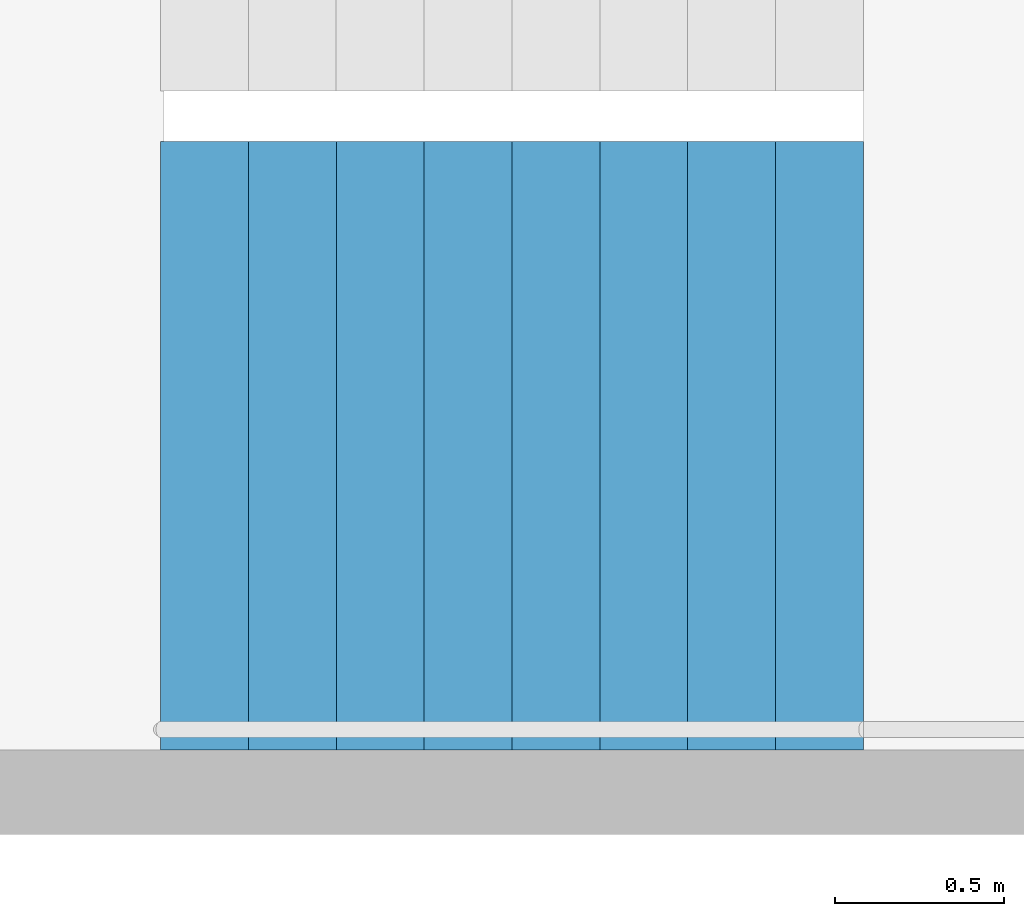
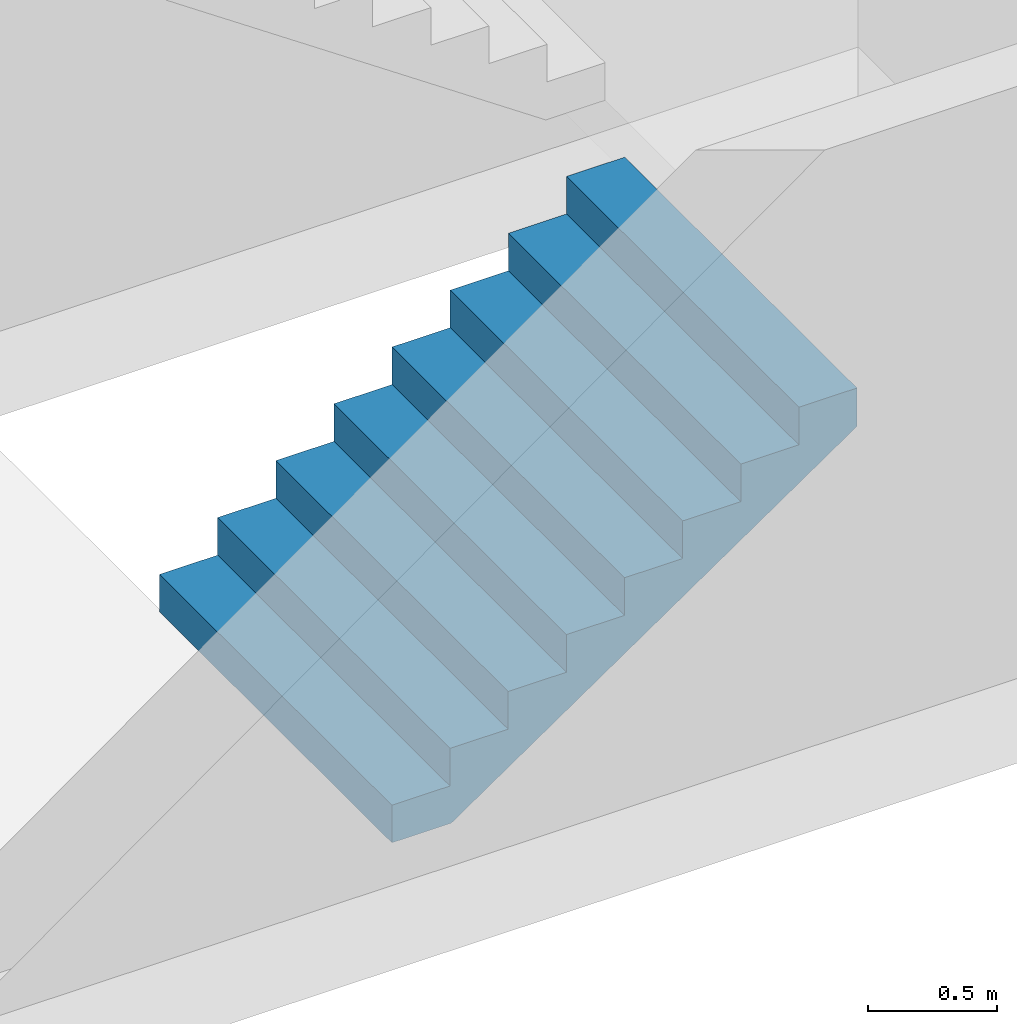
# One storey, part 22 of 28: 1 stair flight, 1 element without a shape of its own.
"""IFC4 building model written with IfcOpenShell, lengths in metres."""

from ifc_helpers import new_model, si_unit, direction, frame, origin, place, context, subcontext, project, spatial, triangles, material, type_object, element, aggregate, save


model = new_model("IFC4")

# Units and contexts
model_context = context("Model", 3, precision=1e-05, world=origin(), true_north=direction((0.0, 1.0)))
body_context = subcontext(model_context, "Body", "Model", "MODEL_VIEW")
ifc_project = project(units=[si_unit("LENGTHUNIT", "METRE"), si_unit("AREAUNIT", "SQUARE_METRE"), si_unit("VOLUMEUNIT", "CUBIC_METRE"), si_unit("PLANEANGLEUNIT", "RADIAN"), si_unit("MASSUNIT", "GRAM", prefix="KILO")], contexts=[model_context])

# Site, building, storey
site_placement = place(None, origin())
site = spatial("IfcSite", under=ifc_project, at=site_placement, CompositionType="ELEMENT")
building_placement = place(site_placement, origin())
building = spatial("IfcBuilding", under=site, at=building_placement, Name="Hakoniwa Tower and Hamabe Station Hall", CompositionType="ELEMENT")
storey_placement = place(building_placement, frame((0.0, 0.0, 48.60009765625)))
storey = spatial("IfcBuildingStorey", under=building, at=storey_placement, Name="L13", CompositionType="ELEMENT", Elevation=48.60009765625)

# Stair, stair flight
ifc_material_1 = material(Name="Concrete C40", Category="concrete")
stair_type = type_object("IfcStairType", Name="ESCAPE STAIR 1800", PredefinedType="HALF_TURN_STAIR", material=ifc_material_1)
stair_placement = place(storey_placement, origin())
stair = element("IfcStair", 1, at=stair_placement, inside=storey, type_object=stair_type, Name="Escape stair ST-1 L13", PredefinedType="HALF_TURN_STAIR")
ifc_material_2 = material(Name="Concrete C40", Category="concrete")
stair_flight_type = type_object("IfcStairFlightType", Name="STAIR FLIGHT 1800", PredefinedType="STRAIGHT", material=ifc_material_2)
stair_flight_placement = place(storey_placement, frame((-24.39990234375, 4.64990234375, 0.0), z_axis=(0.0, 0.0, 1.0), x_axis=(1.0, 0.0, 0.0)))
stair_flight = element("IfcStairFlight", 2, at=stair_flight_placement, type_object=stair_flight_type, Name="ST-1 flight 1", NumberOfRisers=9, NumberOfTreads=8, PredefinedType="STRAIGHT", RiserHeight=0.177777778, TreadLength=0.26, context=body_context, shape_type="Tessellation", body=[
    triangles([(0.0, 0.89990234375, 0.0), (0.260009765625, 0.89990234375, 0.0), (0.265625, 0.89990234375, 0.0), (0.52001953125, 0.89990234375, 0.174072265625), (0.780029296875, 0.89990234375, 0.351806640625), (1.0400390625, 0.89990234375, 0.529541015625), (1.300048828125, 0.89990234375, 0.707275390625), (1.56005859375, 0.89990234375, 0.885009765625), (1.820068359375, 0.89990234375, 1.062744140625), (2.080078125, 0.89990234375, 1.24072265625), (2.080078125, 0.89990234375, 1.422119140625), (1.820068359375, 0.89990234375, 1.422119140625), (1.820068359375, 0.89990234375, 1.244384765625), (1.56005859375, 0.89990234375, 1.244384765625), (1.56005859375, 0.89990234375, 1.066650390625), (1.300048828125, 0.89990234375, 1.066650390625), (1.300048828125, 0.89990234375, 0.888916015625), (1.0400390625, 0.89990234375, 0.888916015625), (1.0400390625, 0.89990234375, 0.711181640625), (0.780029296875, 0.89990234375, 0.711181640625), (0.780029296875, 0.89990234375, 0.533447265625), (0.52001953125, 0.89990234375, 0.533447265625), (0.52001953125, 0.89990234375, 0.35546875), (0.265625, 0.89990234375, 0.35546875), (0.260009765625, 0.89990234375, 0.35546875), (0.260009765625, 0.89990234375, 0.177734375), (0.0, 0.89990234375, 0.177734375), (0.0, 0.06005859375, 0.0), (0.260009765625, 0.06005859375, 0.0), (0.265625, 0.06005859375, 0.0), (0.52001953125, 0.06005859375, 0.174072265625), (0.780029296875, 0.06005859375, 0.351806640625), (1.0400390625, 0.06005859375, 0.529541015625), (1.300048828125, 0.06005859375, 0.707275390625), (1.56005859375, 0.06005859375, 0.885009765625), (1.820068359375, 0.06005859375, 1.062744140625), (2.080078125, 0.06005859375, 1.24072265625), (2.080078125, 0.06005859375, 1.422119140625), (1.820068359375, 0.06005859375, 1.422119140625), (1.820068359375, 0.06005859375, 1.244384765625), (1.56005859375, 0.06005859375, 1.244384765625), (1.56005859375, 0.06005859375, 1.066650390625), (1.300048828125, 0.06005859375, 1.066650390625), (1.300048828125, 0.06005859375, 0.888916015625), (1.0400390625, 0.06005859375, 0.888916015625), (1.0400390625, 0.06005859375, 0.711181640625), (0.780029296875, 0.06005859375, 0.711181640625), (0.780029296875, 0.06005859375, 0.533447265625), (0.52001953125, 0.06005859375, 0.533447265625), (0.52001953125, 0.06005859375, 0.35546875), (0.265625, 0.06005859375, 0.35546875), (0.260009765625, 0.06005859375, 0.35546875), (0.260009765625, 0.06005859375, 0.177734375), (0.0, 0.06005859375, 0.177734375), (0.0, 0.04296875, 0.0), (0.260009765625, 0.04296875, 0.0), (0.265625, 0.04296875, 0.0), (0.52001953125, 0.04296875, 0.174072265625), (0.780029296875, 0.04296875, 0.351806640625), (1.0400390625, 0.04296875, 0.529541015625), (1.300048828125, 0.04296875, 0.707275390625), (1.56005859375, 0.04296875, 0.885009765625), (1.820068359375, 0.04296875, 1.062744140625), (2.080078125, 0.04296875, 1.24072265625), (2.080078125, 0.04296875, 1.422119140625), (1.820068359375, 0.04296875, 1.422119140625), (1.820068359375, 0.04296875, 1.244384765625), (1.56005859375, 0.04296875, 1.244384765625), (1.56005859375, 0.04296875, 1.066650390625), (1.300048828125, 0.04296875, 1.066650390625), (1.300048828125, 0.04296875, 0.888916015625), (1.0400390625, 0.04296875, 0.888916015625), (1.0400390625, 0.04296875, 0.711181640625), (0.780029296875, 0.04296875, 0.711181640625), (0.780029296875, 0.04296875, 0.533447265625), (0.52001953125, 0.04296875, 0.533447265625), (0.52001953125, 0.04296875, 0.35546875), (0.265625, 0.04296875, 0.35546875), (0.260009765625, 0.04296875, 0.35546875), (0.260009765625, 0.04296875, 0.177734375), (0.0, 0.04296875, 0.177734375), (0.0, 0.025634765625, 0.0), (0.260009765625, 0.025634765625, 0.0), (0.265625, 0.025634765625, 0.0), (0.52001953125, 0.025634765625, 0.174072265625), (0.780029296875, 0.025634765625, 0.351806640625), (1.0400390625, 0.025634765625, 0.529541015625), (1.300048828125, 0.025634765625, 0.707275390625), (1.56005859375, 0.025634765625, 0.885009765625), (1.820068359375, 0.025634765625, 1.062744140625), (2.080078125, 0.025634765625, 1.24072265625), (2.080078125, 0.025634765625, 1.422119140625), (1.820068359375, 0.025634765625, 1.422119140625), (1.820068359375, 0.025634765625, 1.244384765625), (1.56005859375, 0.025634765625, 1.244384765625), (1.56005859375, 0.025634765625, 1.066650390625), (1.300048828125, 0.025634765625, 1.066650390625), (1.300048828125, 0.025634765625, 0.888916015625), (1.0400390625, 0.025634765625, 0.888916015625), (1.0400390625, 0.025634765625, 0.711181640625), (0.780029296875, 0.025634765625, 0.711181640625), (0.780029296875, 0.025634765625, 0.533447265625), (0.52001953125, 0.025634765625, 0.533447265625), (0.52001953125, 0.025634765625, 0.35546875), (0.265625, 0.025634765625, 0.35546875), (0.260009765625, 0.025634765625, 0.35546875), (0.260009765625, 0.025634765625, 0.177734375), (0.0, 0.025634765625, 0.177734375), (0.0, 0.008544921875, 0.0), (0.260009765625, 0.008544921875, 0.0), (0.265625, 0.008544921875, 0.0), (0.52001953125, 0.008544921875, 0.174072265625), (0.780029296875, 0.008544921875, 0.351806640625), (1.0400390625, 0.008544921875, 0.529541015625), (1.300048828125, 0.008544921875, 0.707275390625), (1.56005859375, 0.008544921875, 0.885009765625), (1.820068359375, 0.008544921875, 1.062744140625), (2.080078125, 0.008544921875, 1.24072265625), (2.080078125, 0.008544921875, 1.422119140625), (1.820068359375, 0.008544921875, 1.422119140625), (1.820068359375, 0.008544921875, 1.244384765625), (1.56005859375, 0.008544921875, 1.244384765625), (1.56005859375, 0.008544921875, 1.066650390625), (1.300048828125, 0.008544921875, 1.066650390625), (1.300048828125, 0.008544921875, 0.888916015625), (1.0400390625, 0.008544921875, 0.888916015625), (1.0400390625, 0.008544921875, 0.711181640625), (0.780029296875, 0.008544921875, 0.711181640625), (0.780029296875, 0.008544921875, 0.533447265625), (0.52001953125, 0.008544921875, 0.533447265625), (0.52001953125, 0.008544921875, 0.35546875), (0.265625, 0.008544921875, 0.35546875), (0.260009765625, 0.008544921875, 0.35546875), (0.260009765625, 0.008544921875, 0.177734375), (0.0, 0.008544921875, 0.177734375), (0.0, -0.008544921875, 0.0), (0.260009765625, -0.008544921875, 0.0), (0.265625, -0.008544921875, 0.0), (0.52001953125, -0.008544921875, 0.174072265625), (0.780029296875, -0.008544921875, 0.351806640625), (1.0400390625, -0.008544921875, 0.529541015625), (1.300048828125, -0.008544921875, 0.707275390625), (1.56005859375, -0.008544921875, 0.885009765625), (1.820068359375, -0.008544921875, 1.062744140625), (2.080078125, -0.008544921875, 1.24072265625), (2.080078125, -0.008544921875, 1.422119140625), (1.820068359375, -0.008544921875, 1.422119140625), (1.820068359375, -0.008544921875, 1.244384765625), (1.56005859375, -0.008544921875, 1.244384765625), (1.56005859375, -0.008544921875, 1.066650390625), (1.300048828125, -0.008544921875, 1.066650390625), (1.300048828125, -0.008544921875, 0.888916015625), (1.0400390625, -0.008544921875, 0.888916015625), (1.0400390625, -0.008544921875, 0.711181640625), (0.780029296875, -0.008544921875, 0.711181640625), (0.780029296875, -0.008544921875, 0.533447265625), (0.52001953125, -0.008544921875, 0.533447265625), (0.52001953125, -0.008544921875, 0.35546875), (0.265625, -0.008544921875, 0.35546875), (0.260009765625, -0.008544921875, 0.35546875), (0.260009765625, -0.008544921875, 0.177734375), (0.0, -0.008544921875, 0.177734375), (0.0, -0.025634765625, 0.0), (0.260009765625, -0.025634765625, 0.0), (0.265625, -0.025634765625, 0.0), (0.52001953125, -0.025634765625, 0.174072265625), (0.780029296875, -0.025634765625, 0.351806640625), (1.0400390625, -0.025634765625, 0.529541015625), (1.300048828125, -0.025634765625, 0.707275390625), (1.56005859375, -0.025634765625, 0.885009765625), (1.820068359375, -0.025634765625, 1.062744140625), (2.080078125, -0.025634765625, 1.24072265625), (2.080078125, -0.025634765625, 1.422119140625), (1.820068359375, -0.025634765625, 1.422119140625), (1.820068359375, -0.025634765625, 1.244384765625), (1.56005859375, -0.025634765625, 1.244384765625), (1.56005859375, -0.025634765625, 1.066650390625), (1.300048828125, -0.025634765625, 1.066650390625), (1.300048828125, -0.025634765625, 0.888916015625), (1.0400390625, -0.025634765625, 0.888916015625), (1.0400390625, -0.025634765625, 0.711181640625), (0.780029296875, -0.025634765625, 0.711181640625), (0.780029296875, -0.025634765625, 0.533447265625), (0.52001953125, -0.025634765625, 0.533447265625), (0.52001953125, -0.025634765625, 0.35546875), (0.265625, -0.025634765625, 0.35546875), (0.260009765625, -0.025634765625, 0.35546875), (0.260009765625, -0.025634765625, 0.177734375), (0.0, -0.025634765625, 0.177734375), (0.0, -0.04296875, 0.0), (0.260009765625, -0.04296875, 0.0), (0.265625, -0.04296875, 0.0), (0.52001953125, -0.04296875, 0.174072265625), (0.780029296875, -0.04296875, 0.351806640625), (1.0400390625, -0.04296875, 0.529541015625), (1.300048828125, -0.04296875, 0.707275390625), (1.56005859375, -0.04296875, 0.885009765625), (1.820068359375, -0.04296875, 1.062744140625), (2.080078125, -0.04296875, 1.24072265625), (2.080078125, -0.04296875, 1.422119140625), (1.820068359375, -0.04296875, 1.422119140625), (1.820068359375, -0.04296875, 1.244384765625), (1.56005859375, -0.04296875, 1.244384765625), (1.56005859375, -0.04296875, 1.066650390625), (1.300048828125, -0.04296875, 1.066650390625), (1.300048828125, -0.04296875, 0.888916015625), (1.0400390625, -0.04296875, 0.888916015625), (1.0400390625, -0.04296875, 0.711181640625), (0.780029296875, -0.04296875, 0.711181640625), (0.780029296875, -0.04296875, 0.533447265625), (0.52001953125, -0.04296875, 0.533447265625), (0.52001953125, -0.04296875, 0.35546875), (0.265625, -0.04296875, 0.35546875), (0.260009765625, -0.04296875, 0.35546875), (0.260009765625, -0.04296875, 0.177734375), (0.0, -0.04296875, 0.177734375), (0.0, -0.06005859375, 0.0), (0.260009765625, -0.06005859375, 0.0), (0.265625, -0.06005859375, 0.0), (0.52001953125, -0.06005859375, 0.174072265625), (0.780029296875, -0.06005859375, 0.351806640625), (1.0400390625, -0.06005859375, 0.529541015625), (1.300048828125, -0.06005859375, 0.707275390625), (1.56005859375, -0.06005859375, 0.885009765625), (1.820068359375, -0.06005859375, 1.062744140625), (2.080078125, -0.06005859375, 1.24072265625), (2.080078125, -0.06005859375, 1.422119140625), (1.820068359375, -0.06005859375, 1.422119140625), (1.820068359375, -0.06005859375, 1.244384765625), (1.56005859375, -0.06005859375, 1.244384765625), (1.56005859375, -0.06005859375, 1.066650390625), (1.300048828125, -0.06005859375, 1.066650390625), (1.300048828125, -0.06005859375, 0.888916015625), (1.0400390625, -0.06005859375, 0.888916015625), (1.0400390625, -0.06005859375, 0.711181640625), (0.780029296875, -0.06005859375, 0.711181640625), (0.780029296875, -0.06005859375, 0.533447265625), (0.52001953125, -0.06005859375, 0.533447265625), (0.52001953125, -0.06005859375, 0.35546875), (0.265625, -0.06005859375, 0.35546875), (0.260009765625, -0.06005859375, 0.35546875), (0.260009765625, -0.06005859375, 0.177734375), (0.0, -0.06005859375, 0.177734375), (0.0, -0.89990234375, 0.0), (0.260009765625, -0.89990234375, 0.0), (0.265625, -0.89990234375, 0.0), (0.52001953125, -0.89990234375, 0.174072265625), (0.780029296875, -0.89990234375, 0.351806640625), (1.0400390625, -0.89990234375, 0.529541015625), (1.300048828125, -0.89990234375, 0.707275390625), (1.56005859375, -0.89990234375, 0.885009765625), (1.820068359375, -0.89990234375, 1.062744140625), (2.080078125, -0.89990234375, 1.24072265625), (2.080078125, -0.89990234375, 1.422119140625), (1.820068359375, -0.89990234375, 1.422119140625), (1.820068359375, -0.89990234375, 1.244384765625), (1.56005859375, -0.89990234375, 1.244384765625), (1.56005859375, -0.89990234375, 1.066650390625), (1.300048828125, -0.89990234375, 1.066650390625), (1.300048828125, -0.89990234375, 0.888916015625), (1.0400390625, -0.89990234375, 0.888916015625), (1.0400390625, -0.89990234375, 0.711181640625), (0.780029296875, -0.89990234375, 0.711181640625), (0.780029296875, -0.89990234375, 0.533447265625), (0.52001953125, -0.89990234375, 0.533447265625), (0.52001953125, -0.89990234375, 0.35546875), (0.265625, -0.89990234375, 0.35546875), (0.260009765625, -0.89990234375, 0.35546875), (0.260009765625, -0.89990234375, 0.177734375), (0.0, -0.89990234375, 0.177734375)], [[2, 27, 26], [245, 269, 270], [2, 1, 27], [245, 270, 244], [3, 25, 24], [246, 267, 268], [3, 26, 25], [246, 268, 269], [3, 2, 26], [246, 269, 245], [4, 24, 23], [247, 266, 267], [4, 3, 24], [247, 267, 246], [5, 22, 21], [248, 264, 265], [5, 23, 22], [248, 265, 266], [5, 4, 23], [248, 266, 247], [6, 20, 19], [249, 262, 263], [6, 21, 20], [249, 263, 264], [6, 5, 21], [249, 264, 248], [7, 18, 17], [250, 260, 261], [7, 19, 18], [250, 261, 262], [7, 6, 19], [250, 262, 249], [8, 16, 15], [251, 258, 259], [8, 17, 16], [251, 259, 260], [8, 7, 17], [251, 260, 250], [9, 14, 13], [252, 256, 257], [9, 15, 14], [252, 257, 258], [9, 8, 15], [252, 258, 251], [10, 12, 11], [253, 254, 255], [10, 13, 12], [253, 255, 256], [10, 9, 13], [253, 256, 252], [1, 2, 29], [1, 29, 28], [28, 29, 56], [28, 56, 55], [55, 56, 83], [55, 83, 82], [82, 83, 110], [82, 110, 109], [109, 110, 137], [109, 137, 136], [136, 137, 164], [136, 164, 163], [163, 164, 191], [163, 191, 190], [190, 191, 218], [190, 218, 217], [217, 218, 245], [217, 245, 244], [2, 3, 30], [2, 30, 29], [29, 30, 57], [29, 57, 56], [56, 57, 84], [56, 84, 83], [83, 84, 111], [83, 111, 110], [110, 111, 138], [110, 138, 137], [137, 138, 165], [137, 165, 164], [164, 165, 192], [164, 192, 191], [191, 192, 219], [191, 219, 218], [218, 219, 246], [218, 246, 245], [3, 4, 31], [3, 31, 30], [30, 31, 58], [30, 58, 57], [57, 58, 85], [57, 85, 84], [84, 85, 112], [84, 112, 111], [111, 112, 139], [111, 139, 138], [138, 139, 166], [138, 166, 165], [165, 166, 193], [165, 193, 192], [192, 193, 220], [192, 220, 219], [219, 220, 247], [219, 247, 246], [4, 5, 32], [4, 32, 31], [31, 32, 59], [31, 59, 58], [58, 59, 86], [58, 86, 85], [85, 86, 113], [85, 113, 112], [112, 113, 140], [112, 140, 139], [139, 140, 167], [139, 167, 166], [166, 167, 194], [166, 194, 193], [193, 194, 221], [193, 221, 220], [220, 221, 248], [220, 248, 247], [5, 6, 33], [5, 33, 32], [32, 33, 60], [32, 60, 59], [59, 60, 87], [59, 87, 86], [86, 87, 114], [86, 114, 113], [113, 114, 141], [113, 141, 140], [140, 141, 168], [140, 168, 167], [167, 168, 195], [167, 195, 194], [194, 195, 222], [194, 222, 221], [221, 222, 249], [221, 249, 248], [6, 7, 34], [6, 34, 33], [33, 34, 61], [33, 61, 60], [60, 61, 88], [60, 88, 87], [87, 88, 115], [87, 115, 114], [114, 115, 142], [114, 142, 141], [141, 142, 169], [141, 169, 168], [168, 169, 196], [168, 196, 195], [195, 196, 223], [195, 223, 222], [222, 223, 250], [222, 250, 249], [7, 8, 35], [7, 35, 34], [34, 35, 62], [34, 62, 61], [61, 62, 89], [61, 89, 88], [88, 89, 116], [88, 116, 115], [115, 116, 143], [115, 143, 142], [142, 143, 170], [142, 170, 169], [169, 170, 197], [169, 197, 196], [196, 197, 224], [196, 224, 223], [223, 224, 251], [223, 251, 250], [8, 9, 36], [8, 36, 35], [35, 36, 63], [35, 63, 62], [62, 63, 90], [62, 90, 89], [89, 90, 117], [89, 117, 116], [116, 117, 144], [116, 144, 143], [143, 144, 171], [143, 171, 170], [170, 171, 198], [170, 198, 197], [197, 198, 225], [197, 225, 224], [224, 225, 252], [224, 252, 251], [9, 10, 37], [9, 37, 36], [36, 37, 64], [36, 64, 63], [63, 64, 91], [63, 91, 90], [90, 91, 118], [90, 118, 117], [117, 118, 145], [117, 145, 144], [144, 145, 172], [144, 172, 171], [171, 172, 199], [171, 199, 198], [198, 199, 226], [198, 226, 225], [225, 226, 253], [225, 253, 252], [10, 11, 38], [10, 38, 37], [37, 38, 65], [37, 65, 64], [64, 65, 92], [64, 92, 91], [91, 92, 119], [91, 119, 118], [118, 119, 146], [118, 146, 145], [145, 146, 173], [145, 173, 172], [172, 173, 200], [172, 200, 199], [199, 200, 227], [199, 227, 226], [226, 227, 254], [226, 254, 253], [11, 12, 39], [11, 39, 38], [38, 39, 66], [38, 66, 65], [65, 66, 93], [65, 93, 92], [92, 93, 120], [92, 120, 119], [119, 120, 147], [119, 147, 146], [146, 147, 174], [146, 174, 173], [173, 174, 201], [173, 201, 200], [200, 201, 228], [200, 228, 227], [227, 228, 255], [227, 255, 254], [12, 13, 40], [12, 40, 39], [39, 40, 67], [39, 67, 66], [66, 67, 94], [66, 94, 93], [93, 94, 121], [93, 121, 120], [120, 121, 148], [120, 148, 147], [147, 148, 175], [147, 175, 174], [174, 175, 202], [174, 202, 201], [201, 202, 229], [201, 229, 228], [228, 229, 256], [228, 256, 255], [13, 14, 41], [13, 41, 40], [40, 41, 68], [40, 68, 67], [67, 68, 95], [67, 95, 94], [94, 95, 122], [94, 122, 121], [121, 122, 149], [121, 149, 148], [148, 149, 176], [148, 176, 175], [175, 176, 203], [175, 203, 202], [202, 203, 230], [202, 230, 229], [229, 230, 257], [229, 257, 256], [14, 15, 42], [14, 42, 41], [41, 42, 69], [41, 69, 68], [68, 69, 96], [68, 96, 95], [95, 96, 123], [95, 123, 122], [122, 123, 150], [122, 150, 149], [149, 150, 177], [149, 177, 176], [176, 177, 204], [176, 204, 203], [203, 204, 231], [203, 231, 230], [230, 231, 258], [230, 258, 257], [15, 16, 43], [15, 43, 42], [42, 43, 70], [42, 70, 69], [69, 70, 97], [69, 97, 96], [96, 97, 124], [96, 124, 123], [123, 124, 151], [123, 151, 150], [150, 151, 178], [150, 178, 177], [177, 178, 205], [177, 205, 204], [204, 205, 232], [204, 232, 231], [231, 232, 259], [231, 259, 258], [16, 17, 44], [16, 44, 43], [43, 44, 71], [43, 71, 70], [70, 71, 98], [70, 98, 97], [97, 98, 125], [97, 125, 124], [124, 125, 152], [124, 152, 151], [151, 152, 179], [151, 179, 178], [178, 179, 206], [178, 206, 205], [205, 206, 233], [205, 233, 232], [232, 233, 260], [232, 260, 259], [17, 18, 45], [17, 45, 44], [44, 45, 72], [44, 72, 71], [71, 72, 99], [71, 99, 98], [98, 99, 126], [98, 126, 125], [125, 126, 153], [125, 153, 152], [152, 153, 180], [152, 180, 179], [179, 180, 207], [179, 207, 206], [206, 207, 234], [206, 234, 233], [233, 234, 261], [233, 261, 260], [18, 19, 46], [18, 46, 45], [45, 46, 73], [45, 73, 72], [72, 73, 100], [72, 100, 99], [99, 100, 127], [99, 127, 126], [126, 127, 154], [126, 154, 153], [153, 154, 181], [153, 181, 180], [180, 181, 208], [180, 208, 207], [207, 208, 235], [207, 235, 234], [234, 235, 262], [234, 262, 261], [19, 20, 47], [19, 47, 46], [46, 47, 74], [46, 74, 73], [73, 74, 101], [73, 101, 100], [100, 101, 128], [100, 128, 127], [127, 128, 155], [127, 155, 154], [154, 155, 182], [154, 182, 181], [181, 182, 209], [181, 209, 208], [208, 209, 236], [208, 236, 235], [235, 236, 263], [235, 263, 262], [20, 21, 48], [20, 48, 47], [47, 48, 75], [47, 75, 74], [74, 75, 102], [74, 102, 101], [101, 102, 129], [101, 129, 128], [128, 129, 156], [128, 156, 155], [155, 156, 183], [155, 183, 182], [182, 183, 210], [182, 210, 209], [209, 210, 237], [209, 237, 236], [236, 237, 264], [236, 264, 263], [21, 22, 49], [21, 49, 48], [48, 49, 76], [48, 76, 75], [75, 76, 103], [75, 103, 102], [102, 103, 130], [102, 130, 129], [129, 130, 157], [129, 157, 156], [156, 157, 184], [156, 184, 183], [183, 184, 211], [183, 211, 210], [210, 211, 238], [210, 238, 237], [237, 238, 265], [237, 265, 264], [22, 23, 50], [22, 50, 49], [49, 50, 77], [49, 77, 76], [76, 77, 104], [76, 104, 103], [103, 104, 131], [103, 131, 130], [130, 131, 158], [130, 158, 157], [157, 158, 185], [157, 185, 184], [184, 185, 212], [184, 212, 211], [211, 212, 239], [211, 239, 238], [238, 239, 266], [238, 266, 265], [23, 24, 51], [23, 51, 50], [50, 51, 78], [50, 78, 77], [77, 78, 105], [77, 105, 104], [104, 105, 132], [104, 132, 131], [131, 132, 159], [131, 159, 158], [158, 159, 186], [158, 186, 185], [185, 186, 213], [185, 213, 212], [212, 213, 240], [212, 240, 239], [239, 240, 267], [239, 267, 266], [24, 25, 52], [24, 52, 51], [51, 52, 79], [51, 79, 78], [78, 79, 106], [78, 106, 105], [105, 106, 133], [105, 133, 132], [132, 133, 160], [132, 160, 159], [159, 160, 187], [159, 187, 186], [186, 187, 214], [186, 214, 213], [213, 214, 241], [213, 241, 240], [240, 241, 268], [240, 268, 267], [25, 26, 53], [25, 53, 52], [52, 53, 80], [52, 80, 79], [79, 80, 107], [79, 107, 106], [106, 107, 134], [106, 134, 133], [133, 134, 161], [133, 161, 160], [160, 161, 188], [160, 188, 187], [187, 188, 215], [187, 215, 214], [214, 215, 242], [214, 242, 241], [241, 242, 269], [241, 269, 268], [26, 27, 54], [26, 54, 53], [53, 54, 81], [53, 81, 80], [80, 81, 108], [80, 108, 107], [107, 108, 135], [107, 135, 134], [134, 135, 162], [134, 162, 161], [161, 162, 189], [161, 189, 188], [188, 189, 216], [188, 216, 215], [215, 216, 243], [215, 243, 242], [242, 243, 270], [242, 270, 269], [27, 1, 28], [27, 28, 54], [54, 28, 55], [54, 55, 81], [81, 55, 82], [81, 82, 108], [108, 82, 109], [108, 109, 135], [135, 109, 136], [135, 136, 162], [162, 136, 163], [162, 163, 189], [189, 163, 190], [189, 190, 216], [216, 190, 217], [216, 217, 243], [243, 217, 244], [243, 244, 270]], closed=True),
])
aggregate(stair, [stair_flight])

save(model, "model.ifc")
